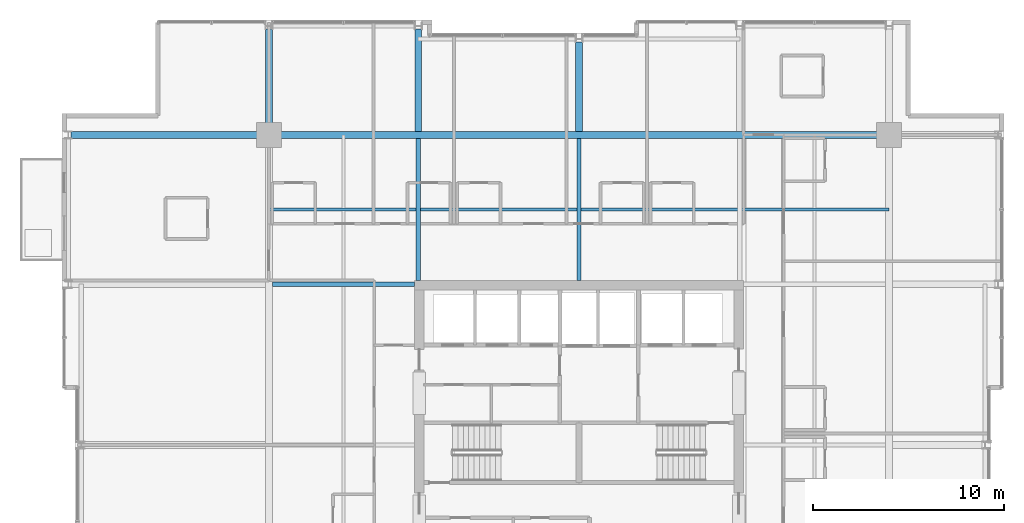
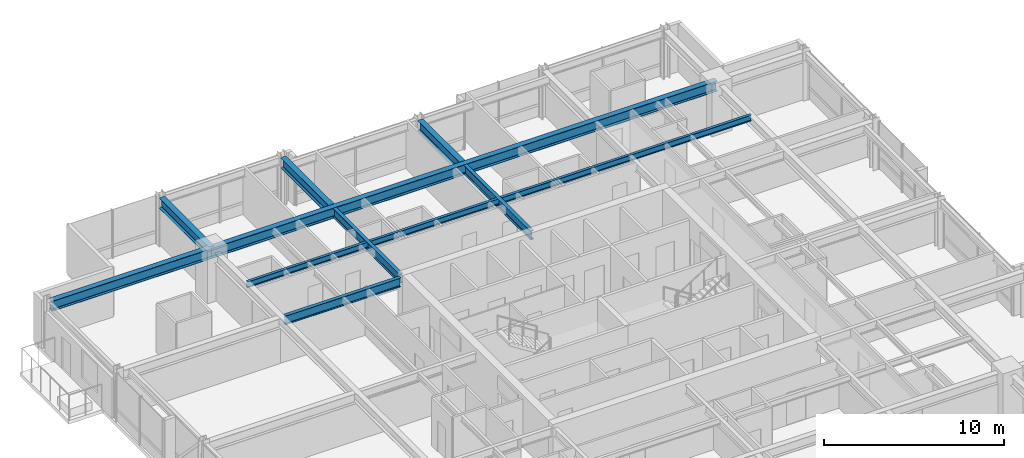
# One storey, part 18 of 32: 9 beams.
"""IFC4 building model written with IfcOpenShell, lengths in metres."""

import ifcopenshell
import ifcopenshell.guid

model = None  # the IFC model being written
_history = None  # IfcOwnerHistory: only IFC2X3 demands one
_inside = {}  # id of a spatial element -> (the spatial element, [elements in it])
_under = {}  # id of a project, library or spatial element -> (it, [spatial elements below it])
_declared = {}  # id of a project -> (the project, [libraries it declares])
_typed = {}  # id of a type object -> (the type object, [elements of that type])
_made_of = {}  # id of a material, layer set ... -> (it, [elements and type objects made of it])


def new_model(schema):
    """Start an empty IFC model of exactly this schema.

    Asked for "IFC4X3", IfcOpenShell would pick the latest addendum, in which some entities
    have other attributes; the version numbers below select the first issue.
    IFC2X3 requires an IfcOwnerHistory on every rooted entity: one is made here for all.
    """
    global model, _history
    if schema == "IFC4X3":
        model = ifcopenshell.file(schema_version=(4, 3, 0, 0))
    else:
        model = ifcopenshell.file(schema=schema)
    _inside.clear()
    _under.clear()
    _declared.clear()
    _typed.clear()
    _made_of.clear()
    _history = None
    if model.schema == "IFC2X3":
        org = make("IfcOrganization", Name="unknown")
        user = make(
            "IfcPersonAndOrganization",
            ThePerson=make("IfcPerson", FamilyName="unknown"),
            TheOrganization=org,
        )
        app = make(
            "IfcApplication",
            ApplicationDeveloper=org,
            Version="unknown",
            ApplicationFullName="unknown",
            ApplicationIdentifier="unknown",
        )
        _history = make(
            "IfcOwnerHistory",
            OwningUser=user,
            OwningApplication=app,
            ChangeAction="ADDED",
            CreationDate=0,
        )
    return model


def make(cls, **values):
    """One entity of the class cls with the attributes given. An attribute that is None is left unset."""
    return model.create_entity(
        cls, **{name: value for name, value in values.items() if value is not None}
    )


def rooted(cls, **values):
    """An entity with a GlobalId (a new one), such as an element, a storey or a relation."""
    return make(cls, GlobalId=ifcopenshell.guid.new(), OwnerHistory=_history, **values)


def si_unit(unit_type, name, prefix=None):
    """IfcSIUnit, for example si_unit("LENGTHUNIT", "METRE", prefix="MILLI")."""
    return make("IfcSIUnit", UnitType=unit_type, Prefix=prefix, Name=name)


def assignment(units):
    """IfcUnitAssignment: the units of a project."""
    return None if units is None else make("IfcUnitAssignment", Units=units)


def point(xyz):
    """IfcCartesianPoint."""
    return None if xyz is None else make("IfcCartesianPoint", Coordinates=xyz)


def direction(xyz):
    """IfcDirection."""
    return None if xyz is None else make("IfcDirection", DirectionRatios=xyz)


def frame(location, z_axis=None, x_axis=None):
    """IfcAxis2Placement3D, a coordinate frame: its origin and axes. An axis left out is left unset."""
    return make(
        "IfcAxis2Placement3D",
        Location=point(location),
        Axis=direction(z_axis),
        RefDirection=direction(x_axis),
    )


def frame_2d(location, x_axis=None):
    """IfcAxis2Placement2D, a coordinate frame in the plane: its origin and x axis."""
    return make(
        "IfcAxis2Placement2D", Location=point(location), RefDirection=direction(x_axis)
    )


def origin():
    """The frame at (0, 0, 0) with its axes left unset."""
    return frame((0.0, 0.0, 0.0))


def origin_2d():
    """The frame at (0, 0) in the plane with its x axis left unset."""
    return frame_2d((0.0, 0.0))


def place(relative_to, where):
    """IfcLocalPlacement: puts the frame where relative to a parent placement (None: the world)."""
    return make(
        "IfcLocalPlacement", PlacementRelTo=relative_to, RelativePlacement=where
    )


def context(
    kind, dimensions, precision=None, world=None, true_north=None, identifier=None
):
    """IfcGeometricRepresentationContext, for example the 3D "Model" context."""
    return make(
        "IfcGeometricRepresentationContext",
        ContextIdentifier=identifier,
        ContextType=kind,
        CoordinateSpaceDimension=dimensions,
        Precision=precision,
        WorldCoordinateSystem=world,
        TrueNorth=true_north,
    )


def subcontext(parent, identifier, kind, view, scale=None):
    """IfcGeometricRepresentationSubContext, for example "Body" below "Model"."""
    return make(
        "IfcGeometricRepresentationSubContext",
        ContextIdentifier=identifier,
        ContextType=kind,
        ParentContext=parent,
        TargetScale=scale,
        TargetView=view,
    )


def project(units=None, contexts=None):
    """IfcProject with its units and contexts."""
    return rooted(
        "IfcProject",
        Name="project",
        RepresentationContexts=contexts,
        UnitsInContext=assignment(units),
    )


def spatial(cls, under=None, at=None, **own):
    """A site, building, storey or space (cls), placed at a placement, below another one or the project."""
    s = rooted(cls, ObjectPlacement=at, **own)
    if under is not None:
        _under.setdefault(under.id(), (under, []))[1].append(s)
    return s


def profile(cls, at=None, kind="AREA", **sizes):
    """A parametric profile (cls). Its sizes go by their IFC names, for example OverallWidth=200.0."""
    return make(cls, ProfileType=kind, Position=at, **sizes)


def i_section(**sizes):
    """IfcIShapeProfileDef."""
    return profile("IfcIShapeProfileDef", **sizes)


def extrude(swept, where, along, depth):
    """IfcExtrudedAreaSolid: the profile swept, set in the frame where, extruded along a direction by depth."""
    return make(
        "IfcExtrudedAreaSolid",
        SweptArea=swept,
        Position=where,
        ExtrudedDirection=direction(along),
        Depth=depth,
    )


def shape(context_of_items, identifier, shape_type, items):
    """IfcShapeRepresentation: the items that make up one representation, for example the "Body"."""
    return make(
        "IfcShapeRepresentation",
        ContextOfItems=context_of_items,
        RepresentationIdentifier=identifier,
        RepresentationType=shape_type,
        Items=items,
    )


def material(Name=None, Category=None):
    """IfcMaterial."""
    return make("IfcMaterial", Name=Name, Category=Category)


def material_profile(
    of_material, cross_section, Name=None, Category=None, Priority=None
):
    """IfcMaterialProfile: a cross section and its material."""
    return make(
        "IfcMaterialProfile",
        Name=Name,
        Material=of_material,
        Profile=cross_section,
        Priority=Priority,
        Category=Category,
    )


def profile_set(profiles, Name=None, composite=None):
    """IfcMaterialProfileSet."""
    return make(
        "IfcMaterialProfileSet",
        Name=Name,
        MaterialProfiles=profiles,
        CompositeProfile=composite,
    )


def made_of(thing, what):
    """Note that an element or type object is made of a material, layer set ...; save() writes the relation."""
    if what is not None:
        _made_of.setdefault(what.id(), (what, []))[1].append(thing)
    return thing


def type_object(cls, material=None, **own):
    """A type object (cls), such as IfcWallType, which elements share."""
    return made_of(rooted(cls, **own), material)


def element(
    cls,
    number,
    at=None,
    inside=None,
    cuts=None,
    type_object=None,
    material=None,
    context=None,
    identifier="Body",
    shape_type=None,
    held_by="IfcProductDefinitionShape",
    body=None,
    shapes=None,
    **own,
):
    """One element of the class cls, such as IfcWall. Its Tag is "e" and its number.

    at: its placement. inside: the storey or other place that contains it. cuts: it is an
    opening in that element (IfcRelVoidsElement). A single representation is given by context,
    identifier, shape_type and body (its items); several are given by shapes. held_by: the class
    of the entity that holds the representations. save() writes the other relations.
    """
    e = rooted(cls, Tag="e%d" % number, ObjectPlacement=at, **own)
    if body is not None:
        shapes = [shape(context, identifier, shape_type, body)]
    if shapes is not None:
        e.Representation = make(held_by, Representations=shapes)
    if inside is not None:
        _inside.setdefault(inside.id(), (inside, []))[1].append(e)
    if cuts is not None:
        rooted(
            "IfcRelVoidsElement", RelatingBuildingElement=cuts, RelatedOpeningElement=e
        )
    if type_object is not None:
        _typed.setdefault(type_object.id(), (type_object, []))[1].append(e)
    return made_of(e, material)


def aggregate(whole, parts):
    """IfcRelAggregates: a whole, such as a stair, and the parts it consists of."""
    return rooted("IfcRelAggregates", RelatingObject=whole, RelatedObjects=parts)


def save(model, path):
    """Write the relations noted so far, then the file.

    IfcRelAggregates (storeys below a building ...), IfcRelContainedInSpatialStructure (elements
    in a storey), IfcRelDefinesByType, IfcRelAssociatesMaterial and IfcRelDeclares: one each for
    every whole, place, type object, material and project.
    """
    for whole, parts in _under.values():
        aggregate(whole, parts)
    for where, things in _inside.values():
        rooted(
            "IfcRelContainedInSpatialStructure",
            RelatedElements=things,
            RelatingStructure=where,
        )
    for kind, things in _typed.values():
        rooted("IfcRelDefinesByType", RelatedObjects=things, RelatingType=kind)
    for what, things in _made_of.values():
        rooted("IfcRelAssociatesMaterial", RelatedObjects=things, RelatingMaterial=what)
    for by, libraries in _declared.values():
        rooted("IfcRelDeclares", RelatingContext=by, RelatedDefinitions=libraries)
    model.write(path)


model = new_model("IFC4")

# Units and contexts
model_context = context("Model", 3, precision=1e-05, world=origin(), true_north=direction((0.0, 1.0)))
body_context = subcontext(model_context, "Body", "Model", "MODEL_VIEW")
ifc_project = project(units=[si_unit("LENGTHUNIT", "METRE"), si_unit("AREAUNIT", "SQUARE_METRE"), si_unit("VOLUMEUNIT", "CUBIC_METRE"), si_unit("PLANEANGLEUNIT", "RADIAN"), si_unit("MASSUNIT", "GRAM", prefix="KILO")], contexts=[model_context])

# Site, building, storey
site_placement = place(None, origin())
site = spatial("IfcSite", under=ifc_project, at=site_placement, CompositionType="ELEMENT")
building_placement = place(site_placement, origin())
building = spatial("IfcBuilding", under=site, at=building_placement, Name="Drelvath Grand Hotel", CompositionType="ELEMENT")
storey_placement = place(building_placement, frame((0.0, 0.0, 182.35009765625)))
storey = spatial("IfcBuildingStorey", under=building, at=storey_placement, Name="L47", CompositionType="ELEMENT", Elevation=182.35009765625)

# Beams
ifc_material = material(Name="Steel ASTM A992 Gr 50", Category="steel")
ifc_material_profile_1 = material_profile(ifc_material, i_section(OverallWidth=0.177734375, OverallDepth=0.40673828125, WebThickness=0.0078125, FlangeThickness=0.0126953125, FilletRadius=0.014892578125, at=origin_2d()), Name="W16X40")
ifc_profile_set_1 = profile_set([ifc_material_profile_1], Name="Steel ASTM A992 Gr 50")
beam_type_1 = type_object("IfcBeamType", Name="Composite Floor Joist W16X40", PredefinedType="JOIST", material=ifc_profile_set_1)
beam_1_placement = place(storey_placement, frame((-16.199951171875, 39.300048828125, 3.08642578125), z_axis=(1.0, 0.0, 0.0), x_axis=(0.0, 1.0, 0.0)))
element("IfcBeam", 1, at=beam_1_placement, inside=storey, type_object=beam_type_1, Name="L47 Floor Joist J2", PredefinedType="JOIST", context=body_context, shape_type="SweptSolid", body=[
    extrude(i_section(OverallWidth=0.177734375, OverallDepth=0.40673828125, WebThickness=0.0078125, FlangeThickness=0.0126953125, FilletRadius=0.014892578125, at=origin_2d()), origin(), (0.0, 0.0, 1.0), 32.39990234375),
])
ifc_material_profile_2 = material_profile(ifc_material, i_section(OverallWidth=0.228271484375, OverallDepth=0.607666015625, WebThickness=0.01123046875, FlangeThickness=0.017333984375, FilletRadius=0.02001953125, at=origin_2d()), Name="W24X76")
ifc_profile_set_2 = profile_set([ifc_material_profile_2], Name="Steel ASTM A992 Gr 50")
beam_type_2 = type_object("IfcBeamType", Name="Primary Floor Girder W24X76", PredefinedType="BEAM", material=ifc_profile_set_2)
for number, where, z_axis, x_axis, name in (
    (2, (-16.022705078125, 35.39990234375, 2.986083984375), (1.0, 0.0, 0.0), (0.0, 1.0, 0.0), "L47 West Core Tie F"),
    (3, (-8.39990234375, 35.60009765625, 2.986083984375), (0.0, 1.0, 0.0), (-1.0, 0.0, 0.0), "L47 North Core Tie 4"),
    (4, (0.0, 35.60009765625, 2.986083984375), (0.0, 1.0, 0.0), (-1.0, 0.0, 0.0), "L47 North Core Tie 5"),
):
    element("IfcBeam", number, at=place(storey_placement, frame(where, z_axis=z_axis, x_axis=x_axis)), inside=storey, type_object=beam_type_2, Name=name, PredefinedType="BEAM", context=body_context, shape_type="SweptSolid", body=[
        extrude(i_section(OverallWidth=0.228271484375, OverallDepth=0.607666015625, WebThickness=0.01123046875, FlangeThickness=0.017333984375, FilletRadius=0.02001953125, at=origin_2d()), origin(), (0.0, 0.0, 1.0), 7.422607421875),
    ])
ifc_material_profile_3 = material_profile(ifc_material, i_section(OverallWidth=0.354736328125, OverallDepth=0.695556640625, WebThickness=0.015380859375, FlangeThickness=0.025146484375, FilletRadius=0.02392578125, at=origin_2d()), Name="W27X146")
ifc_profile_set_3 = profile_set([ifc_material_profile_3], Name="Steel ASTM A992 Gr 50")
beam_type_3 = type_object("IfcBeamType", Name="Primary Floor Girder W27X146", PredefinedType="BEAM", material=ifc_profile_set_3)
beam_2_placement = place(storey_placement, frame((-16.199951171875, 43.199951171875, 2.942138671875), z_axis=(1.0, 0.0, 0.0), x_axis=(0.0, 1.0, 0.0)))
element("IfcBeam", 5, at=beam_2_placement, inside=storey, type_object=beam_type_3, Name="L47 Mega Ring Girder North", PredefinedType="BEAM", context=body_context, shape_type="SweptSolid", body=[
    extrude(i_section(OverallWidth=0.354736328125, OverallDepth=0.695556640625, WebThickness=0.015380859375, FlangeThickness=0.025146484375, FilletRadius=0.02392578125, at=origin_2d()), origin(), (0.0, 0.0, 1.0), 32.39990234375),
])
beam_3_placement = place(storey_placement, frame((-26.5400390625, 43.199951171875, 2.942138671875), z_axis=(1.0, 0.0, 0.0), x_axis=(0.0, 1.0, 0.0)))
element("IfcBeam", 6, at=beam_3_placement, inside=storey, type_object=beam_type_3, Name="L47 West Grid Girder G", PredefinedType="BEAM", context=body_context, shape_type="SweptSolid", body=[
    extrude(i_section(OverallWidth=0.354736328125, OverallDepth=0.695556640625, WebThickness=0.015380859375, FlangeThickness=0.025146484375, FilletRadius=0.02392578125, at=origin_2d()), origin(), (0.0, 0.0, 1.0), 10.340087890625),
])
beam_4_placement = place(storey_placement, frame((-16.199951171875, 43.199951171875, 2.942138671875), z_axis=(0.0, 1.0, 0.0), x_axis=(-1.0, 0.0, 0.0)))
element("IfcBeam", 7, at=beam_4_placement, inside=storey, type_object=beam_type_3, Name="L47 North Grid Girder 3", PredefinedType="BEAM", context=body_context, shape_type="SweptSolid", body=[
    extrude(i_section(OverallWidth=0.354736328125, OverallDepth=0.695556640625, WebThickness=0.015380859375, FlangeThickness=0.025146484375, FilletRadius=0.02392578125, at=origin_2d()), origin(), (0.0, 0.0, 1.0), 5.5400390625),
])
beam_5_placement = place(storey_placement, frame((-8.39990234375, 43.37744140625, 2.942138671875), z_axis=(0.0, 1.0, 0.0), x_axis=(-1.0, 0.0, 0.0)))
element("IfcBeam", 8, at=beam_5_placement, inside=storey, type_object=beam_type_3, Name="L47 North Wing Girder 4", PredefinedType="BEAM", context=body_context, shape_type="SweptSolid", body=[
    extrude(i_section(OverallWidth=0.354736328125, OverallDepth=0.695556640625, WebThickness=0.015380859375, FlangeThickness=0.025146484375, FilletRadius=0.02392578125, at=origin_2d()), origin(), (0.0, 0.0, 1.0), 5.362548828125),
])
beam_6_placement = place(storey_placement, frame((0.0, 43.37744140625, 2.942138671875), z_axis=(0.0, 1.0, 0.0), x_axis=(-1.0, 0.0, 0.0)))
element("IfcBeam", 9, at=beam_6_placement, inside=storey, type_object=beam_type_3, Name="L47 North Wing Girder 5", PredefinedType="BEAM", context=body_context, shape_type="SweptSolid", body=[
    extrude(i_section(OverallWidth=0.354736328125, OverallDepth=0.695556640625, WebThickness=0.015380859375, FlangeThickness=0.025146484375, FilletRadius=0.02392578125, at=origin_2d()), origin(), (0.0, 0.0, 1.0), 4.6826171875),
])

save(model, "model.ifc")
